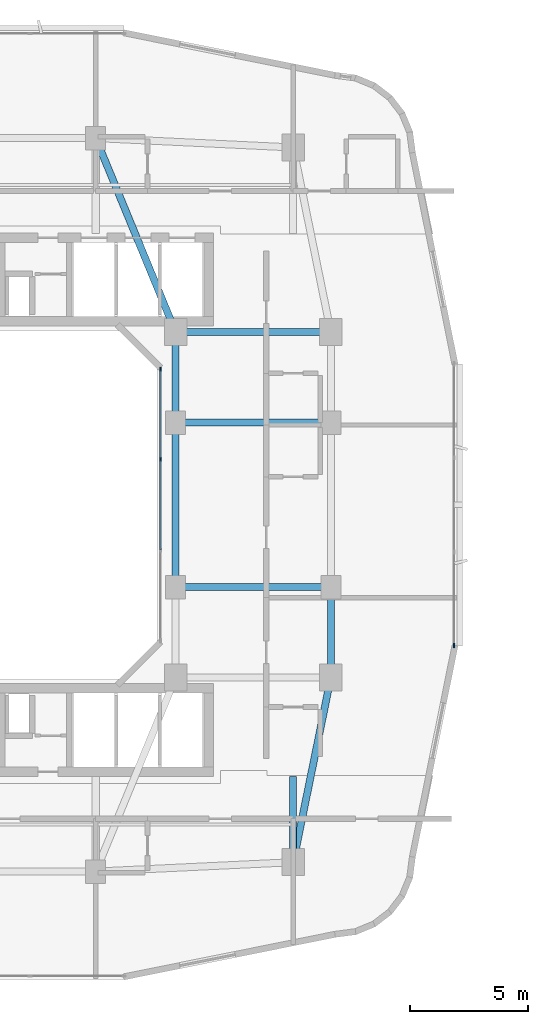
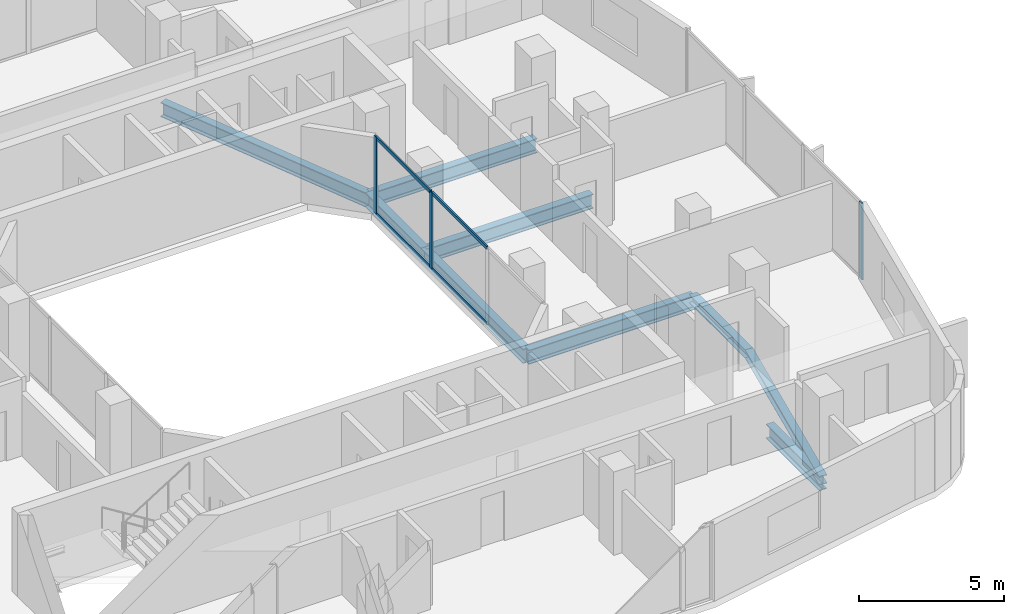
# One storey, part 4 of 26: 9 beams, 7 members, 2 elements without a shape of their own.
"""IFC4 building model written with IfcOpenShell, lengths in metres."""

from ifc_helpers import new_model, si_unit, derived_unit, direction, frame, origin, origin_2d, place, context, subcontext, project, spatial, rectangle, i_section, extrude, material, layer, layer_set, material_profile, profile_set, type_object, element, aggregate, save


model = new_model("IFC4")

# Units and contexts
model_context = context("Model", 3, precision=1e-05, world=origin(), true_north=direction((0.0, 1.0)))
body_context = subcontext(model_context, "Body", "Model", "MODEL_VIEW")
ifc_project = project(units=[si_unit("LENGTHUNIT", "METRE"), si_unit("AREAUNIT", "SQUARE_METRE"), si_unit("VOLUMEUNIT", "CUBIC_METRE"), si_unit("PLANEANGLEUNIT", "RADIAN"), si_unit("MASSUNIT", "GRAM", prefix="KILO"), derived_unit("THERMALTRANSMITTANCEUNIT", [(si_unit("POWERUNIT", "WATT"), 1), (si_unit("LENGTHUNIT", "METRE"), -2), (si_unit("THERMODYNAMICTEMPERATUREUNIT", "KELVIN"), -1)])], contexts=[model_context])

# Site, building, storey
site_placement = place(None, origin())
site = spatial("IfcSite", under=ifc_project, at=site_placement, CompositionType="ELEMENT")
building_placement = place(site_placement, origin())
building = spatial("IfcBuilding", under=site, at=building_placement, Name="Kivonza Crest Hotel", CompositionType="ELEMENT")
storey_placement = place(building_placement, frame((0.0, 0.0, 102.0)))
storey = spatial("IfcBuildingStorey", under=building, at=storey_placement, Name="L27", CompositionType="ELEMENT", Elevation=102.0)

# Beams
ifc_material_1 = material(Name="Steel S355", Category="steel")
ifc_material_profile_1 = material_profile(ifc_material_1, i_section(OverallWidth=0.300048828125, OverallDepth=0.360107421875, WebThickness=0.012451171875, FlangeThickness=0.0224609375, FilletRadius=0.027099609375, at=origin_2d()), Name="HEB 360")
ifc_profile_set_1 = profile_set([ifc_material_profile_1], Name="Steel S355")
beam_type_1 = type_object("IfcBeamType", Name="BM-HEB360", PredefinedType="SPANDREL", material=ifc_profile_set_1)
beam_1_placement = place(storey_placement, frame((34.199951171875, 9.800048828125, -0.4599609375), z_axis=(0.199730733965, 0.979850822273, 0.0), x_axis=(-0.979850822273, 0.199730733965, 0.0)))
element("IfcBeam", 1, at=beam_1_placement, inside=storey, type_object=beam_type_1, Name="Tower T1 L27 perimeter spandrel SE-PSE", PredefinedType="SPANDREL", context=body_context, shape_type="SweptSolid", body=[
    extrude(i_section(OverallWidth=0.300048828125, OverallDepth=0.360107421875, WebThickness=0.012451171875, FlangeThickness=0.0224609375, FilletRadius=0.027099609375, at=origin_2d()), origin(), (0.0, 0.0, 1.0), 8.01123046875),
])
beam_2_placement = place(storey_placement, frame((35.800048828125, 17.64990234375, -0.4599609375), z_axis=(0.0, 1.0, 0.0), x_axis=(-1.0, 0.0, 0.0)))
element("IfcBeam", 2, at=beam_2_placement, inside=storey, type_object=beam_type_1, Name="Tower T1 L27 perimeter spandrel PSE-E1", PredefinedType="SPANDREL", context=body_context, shape_type="SweptSolid", body=[
    extrude(i_section(OverallWidth=0.300048828125, OverallDepth=0.360107421875, WebThickness=0.012451171875, FlangeThickness=0.0224609375, FilletRadius=0.027099609375, at=origin_2d()), origin(), (0.0, 0.0, 1.0), 3.85009765625),
])
ifc_material_profile_2 = material_profile(ifc_material_1, i_section(OverallWidth=0.300048828125, OverallDepth=0.60009765625, WebThickness=0.015380859375, FlangeThickness=0.030029296875, FilletRadius=0.027099609375, at=origin_2d()), Name="HEB 600")
ifc_profile_set_2 = profile_set([ifc_material_profile_2], Name="Steel S355")
beam_type_2 = type_object("IfcBeamType", Name="BM-HEB600", PredefinedType="BEAM", material=ifc_profile_set_2)
beam_3_placement = place(storey_placement, frame((25.800048828125, 40.60009765625, -0.580078125), z_axis=(0.381022260404, -0.924565864109, 0.0), x_axis=(0.924565864109, 0.381022260404, 0.0)))
element("IfcBeam", 3, at=beam_3_placement, inside=storey, type_object=beam_type_2, Name="Tower T1 L27 primary girder N1-TNE", PredefinedType="BEAM", context=body_context, shape_type="SweptSolid", body=[
    extrude(i_section(OverallWidth=0.300048828125, OverallDepth=0.60009765625, WebThickness=0.015380859375, FlangeThickness=0.030029296875, FilletRadius=0.027099609375, at=origin_2d()), origin(), (0.0, 0.0, 1.0), 8.923095703125),
])
beam_4_placement = place(storey_placement, frame((29.199951171875, 32.35009765625, -0.580078125), z_axis=(1.0, 0.0, 0.0), x_axis=(0.0, 1.0, 0.0)))
element("IfcBeam", 4, at=beam_4_placement, inside=storey, type_object=beam_type_2, Name="Tower T1 L27 primary girder TNE-PNE", PredefinedType="BEAM", context=body_context, shape_type="SweptSolid", body=[
    extrude(i_section(OverallWidth=0.300048828125, OverallDepth=0.60009765625, WebThickness=0.015380859375, FlangeThickness=0.030029296875, FilletRadius=0.027099609375, at=origin_2d()), origin(), (0.0, 0.0, 1.0), 6.60009765625),
])
beam_5_placement = place(storey_placement, frame((29.199951171875, 21.5, -0.580078125), z_axis=(0.0, 1.0, 0.0), x_axis=(-1.0, 0.0, 0.0)))
element("IfcBeam", 5, at=beam_5_placement, inside=storey, type_object=beam_type_2, Name="Tower T1 L27 primary girder WR1-WR2", PredefinedType="BEAM", context=body_context, shape_type="SweptSolid", body=[
    extrude(i_section(OverallWidth=0.300048828125, OverallDepth=0.60009765625, WebThickness=0.015380859375, FlangeThickness=0.030029296875, FilletRadius=0.027099609375, at=origin_2d()), origin(), (0.0, 0.0, 1.0), 7.0),
])
beam_6_placement = place(storey_placement, frame((29.199951171875, 28.5, -0.580078125), z_axis=(0.0, 1.0, 0.0), x_axis=(-1.0, 0.0, 0.0)))
element("IfcBeam", 6, at=beam_6_placement, inside=storey, type_object=beam_type_2, Name="Tower T1 L27 primary girder WR2-TNE", PredefinedType="BEAM", context=body_context, shape_type="SweptSolid", body=[
    extrude(i_section(OverallWidth=0.300048828125, OverallDepth=0.60009765625, WebThickness=0.015380859375, FlangeThickness=0.030029296875, FilletRadius=0.027099609375, at=origin_2d()), origin(), (0.0, 0.0, 1.0), 3.85009765625),
])
for number, where, z_axis, x_axis, name in (
    (7, (29.199951171875, 21.5, -0.580078125), (1.0, 0.0, 0.0), (0.0, 1.0, 0.0), "Tower T1 L27 primary girder WR1-E1"),
    (8, (29.199951171875, 28.5, -0.580078125), (1.0, 0.0, 0.0), (0.0, 1.0, 0.0), "Tower T1 L27 primary girder WR2-E2"),
):
    element("IfcBeam", number, at=place(storey_placement, frame(where, z_axis=z_axis, x_axis=x_axis)), inside=storey, type_object=beam_type_2, Name=name, PredefinedType="BEAM", context=body_context, shape_type="SweptSolid", body=[
        extrude(i_section(OverallWidth=0.300048828125, OverallDepth=0.60009765625, WebThickness=0.015380859375, FlangeThickness=0.030029296875, FilletRadius=0.027099609375, at=origin_2d()), origin(), (0.0, 0.0, 1.0), 6.60009765625),
    ])
beam_7_placement = place(storey_placement, frame((34.199951171875, 9.800048828125, -0.580078125), z_axis=(0.0, 1.0, 0.0), x_axis=(-1.0, 0.0, 0.0)))
element("IfcBeam", 9, at=beam_7_placement, inside=storey, type_object=beam_type_2, Name="Tower T1 L27 radial core girder RSE", PredefinedType="BEAM", context=body_context, shape_type="SweptSolid", body=[
    extrude(i_section(OverallWidth=0.300048828125, OverallDepth=0.60009765625, WebThickness=0.015380859375, FlangeThickness=0.030029296875, FilletRadius=0.027099609375, at=origin_2d()), origin(), (0.0, 0.0, 1.0), 3.64990234375),
])

# Curtain wall, member
ifc_material_2 = material(Name="Anodised bronze aluminium and low-E double glazing", Category="aluminium")
ifc_layer_1 = layer(ifc_material_2, 0.179931640625)
ifc_layer_set_1 = layer_set([ifc_layer_1], Name="Anodised bronze aluminium and low-E double glazing")
curtain_wall_type_1 = type_object("IfcCurtainWallType", Name="CW-SYS-2", PredefinedType="NOTDEFINED", material=ifc_layer_set_1)
curtain_wall_1_placement = place(storey_placement, origin())
curtain_wall_1 = element("IfcCurtainWall", 10, at=curtain_wall_1_placement, inside=storey, type_object=curtain_wall_type_1, Name="L27 unitised curtain wall CW-T1-L27-17", PredefinedType="NOTDEFINED")
ifc_material_3 = material(Name="Anodised bronze aluminium", Category="aluminium")
ifc_material_profile_3 = material_profile(ifc_material_3, rectangle(XDim=0.06494140625, YDim=0.179931640625, at=origin_2d()), Name="CW-M 65x180")
ifc_profile_set_3 = profile_set([ifc_material_profile_3], Name="Anodised bronze aluminium")
member_type_1 = type_object("IfcMemberType", Name="CW-MUL-65x180", PredefinedType="MULLION", material=ifc_profile_set_3)
member_1_placement = place(storey_placement, frame((41.0400390625, 19.012451171875, 0.0), z_axis=(0.0, 0.0, 1.0), x_axis=(-1.0, 0.0, 0.0)))
member_1 = element("IfcMember", 11, at=member_1_placement, type_object=member_type_1, Name="CW-2 mullion 1", PredefinedType="MULLION", context=body_context, shape_type="SweptSolid", body=[
    extrude(rectangle(XDim=0.06494140625, YDim=0.179931640625, at=origin_2d()), origin(), (0.0, 0.0, 1.0), 3.219970703125),
])
aggregate(curtain_wall_1, [member_1])

# Curtain wall, members
ifc_layer_2 = layer(ifc_material_2, 0.159912109375)
ifc_layer_set_2 = layer_set([ifc_layer_2], Name="Anodised bronze aluminium and low-E double glazing")
curtain_wall_type_2 = type_object("IfcCurtainWallType", Name="CW-SYS-5", PredefinedType="NOTDEFINED", material=ifc_layer_set_2)
curtain_wall_2_placement = place(storey_placement, origin())
curtain_wall_2 = element("IfcCurtainWall", 12, at=curtain_wall_2_placement, inside=storey, type_object=curtain_wall_type_2, Name="L27 unitised curtain wall CW-WELL-T1-L27-3", PredefinedType="NOTDEFINED")
member_2_placement = place(storey_placement, frame((28.56005859375, 26.933349609375, 0.0), z_axis=(0.0, 0.0, 1.0), x_axis=(-1.0, 0.0, 0.0)))
member_2 = element("IfcMember", 13, at=member_2_placement, type_object=member_type_1, Name="CW-5 mullion 3", PredefinedType="MULLION", context=body_context, shape_type="SweptSolid", body=[
    extrude(rectangle(XDim=0.06494140625, YDim=0.179931640625, at=origin_2d()), origin(), (0.0, 0.0, 1.0), 3.219970703125),
])
member_3_placement = place(storey_placement, frame((28.56005859375, 30.767578125, 0.0), z_axis=(0.0, 0.0, 1.0), x_axis=(-1.0, 0.0, 0.0)))
member_3 = element("IfcMember", 14, at=member_3_placement, type_object=member_type_1, Name="CW-5 mullion 4", PredefinedType="MULLION", context=body_context, shape_type="SweptSolid", body=[
    extrude(rectangle(XDim=0.06494140625, YDim=0.179931640625, at=origin_2d()), origin(), (0.0, 0.0, 1.0), 3.219970703125),
])
ifc_material_profile_4 = material_profile(ifc_material_3, rectangle(XDim=0.06494140625, YDim=0.139892578125, at=origin_2d()), Name="CW-T 65x140")
ifc_profile_set_4 = profile_set([ifc_material_profile_4], Name="Anodised bronze aluminium")
member_type_2 = type_object("IfcMemberType", Name="CW-TRN-65x140", PredefinedType="USERDEFINED", material=ifc_profile_set_4)
member_4_placement = place(storey_placement, frame((28.56005859375, 23.09912109375, 0.032470703125), z_axis=(0.0, 1.0, 0.0), x_axis=(-1.0, 0.0, 0.0)))
member_4 = element("IfcMember", 15, at=member_4_placement, type_object=member_type_2, Name="CW-5 transom 2.1", ObjectType="TRANSOM", PredefinedType="USERDEFINED", context=body_context, shape_type="SweptSolid", body=[
    extrude(rectangle(XDim=0.06494140625, YDim=0.139892578125, at=origin_2d()), origin(), (0.0, 0.0, 1.0), 3.8017578125),
])
member_5_placement = place(storey_placement, frame((28.56005859375, 23.09912109375, 3.1875), z_axis=(0.0, 1.0, 0.0), x_axis=(-1.0, 0.0, 0.0)))
member_5 = element("IfcMember", 16, at=member_5_placement, type_object=member_type_2, Name="CW-5 transom 2.2", ObjectType="TRANSOM", PredefinedType="USERDEFINED", context=body_context, shape_type="SweptSolid", body=[
    extrude(rectangle(XDim=0.06494140625, YDim=0.139892578125, at=origin_2d()), origin(), (0.0, 0.0, 1.0), 3.8017578125),
])
member_6_placement = place(storey_placement, frame((28.56005859375, 26.9658203125, 0.032470703125), z_axis=(0.0, 1.0, 0.0), x_axis=(-1.0, 0.0, 0.0)))
member_6 = element("IfcMember", 17, at=member_6_placement, type_object=member_type_2, Name="CW-5 transom 3.1", ObjectType="TRANSOM", PredefinedType="USERDEFINED", context=body_context, shape_type="SweptSolid", body=[
    extrude(rectangle(XDim=0.06494140625, YDim=0.139892578125, at=origin_2d()), origin(), (0.0, 0.0, 1.0), 3.769287109375),
])
member_7_placement = place(storey_placement, frame((28.56005859375, 26.9658203125, 3.1875), z_axis=(0.0, 1.0, 0.0), x_axis=(-1.0, 0.0, 0.0)))
member_7 = element("IfcMember", 18, at=member_7_placement, type_object=member_type_2, Name="CW-5 transom 3.2", ObjectType="TRANSOM", PredefinedType="USERDEFINED", context=body_context, shape_type="SweptSolid", body=[
    extrude(rectangle(XDim=0.06494140625, YDim=0.139892578125, at=origin_2d()), origin(), (0.0, 0.0, 1.0), 3.769287109375),
])
aggregate(curtain_wall_2, [member_2, member_3, member_4, member_5, member_6, member_7])

save(model, "model.ifc")
